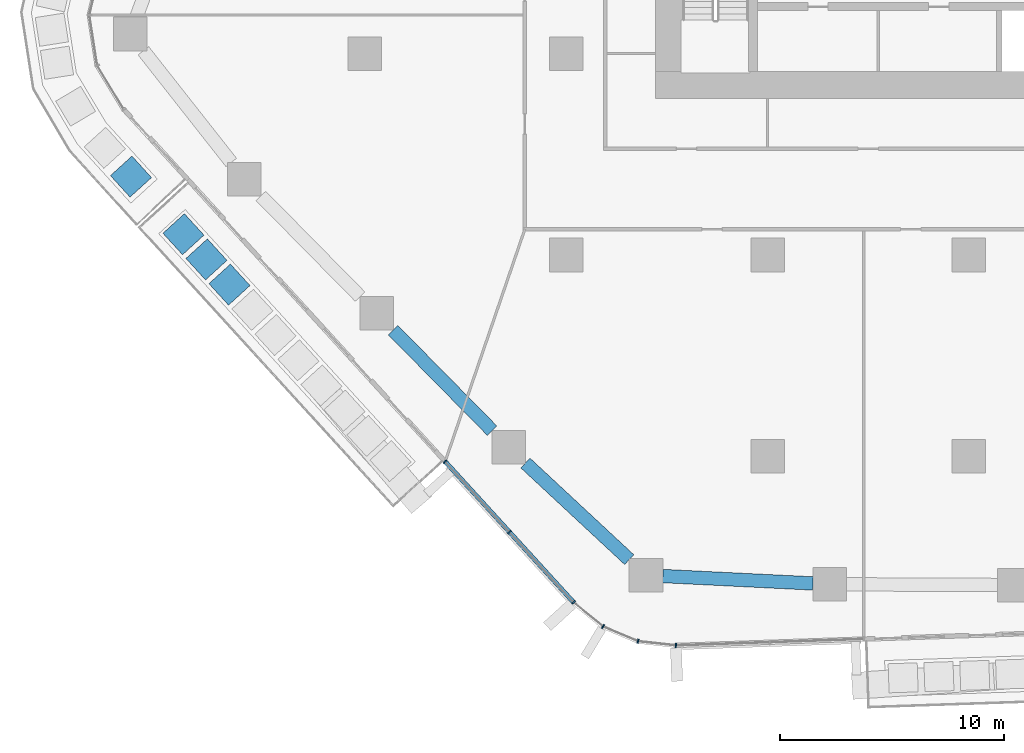
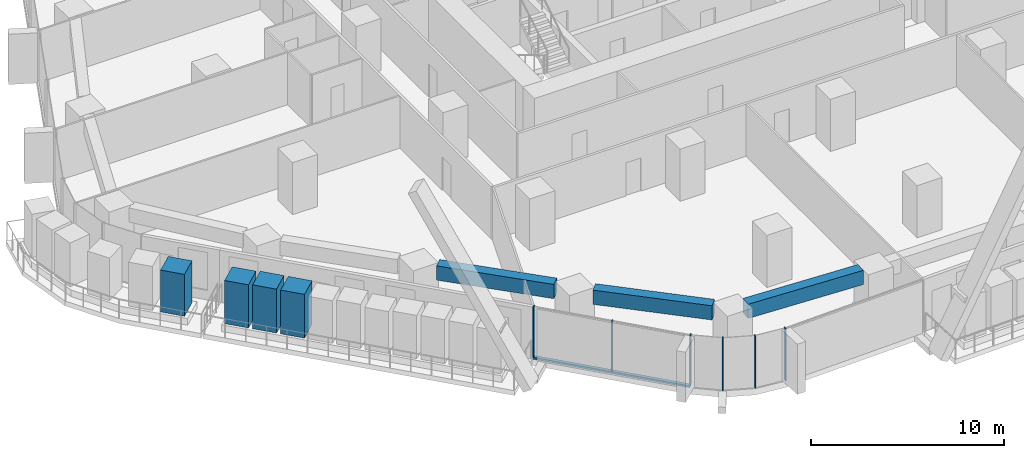
# One storey, part 2 of 26: 11 members, 3 beams, 2 elements without a shape of their own.
"""IFC4 building model written with IfcOpenShell, lengths in metres."""

from ifc_helpers import new_model, si_unit, direction, frame, origin, origin_2d, place, context, subcontext, project, spatial, rectangle, extrude, material, layer, layer_set, material_profile, profile_set, type_object, element, aggregate, save


model = new_model("IFC4")

# Units and contexts
model_context = context("Model", 3, precision=1e-05, world=origin(), true_north=direction((0.0, 1.0)))
body_context = subcontext(model_context, "Body", "Model", "MODEL_VIEW")
ifc_project = project(units=[si_unit("LENGTHUNIT", "METRE"), si_unit("AREAUNIT", "SQUARE_METRE"), si_unit("VOLUMEUNIT", "CUBIC_METRE"), si_unit("PLANEANGLEUNIT", "RADIAN"), si_unit("MASSUNIT", "GRAM", prefix="KILO")], contexts=[model_context])

# Site, building, storey
site_placement = place(None, origin())
site = spatial("IfcSite", under=ifc_project, at=site_placement, CompositionType="ELEMENT")
building_placement = place(site_placement, origin())
building = spatial("IfcBuilding", under=site, at=building_placement, Name="Dongbaek Canopy Tower", CompositionType="ELEMENT")
storey_placement = place(building_placement, frame((0.0, 0.0, 73.60009765625)))
storey = spatial("IfcBuildingStorey", under=building, at=storey_placement, Name="L14", CompositionType="ELEMENT", Elevation=73.60009765625)

# Curtain wall, members
ifc_material_1 = material(Name="Aluminium 6063-T6 pale anodised", Category="aluminium")
ifc_layer = layer(ifc_material_1, 0.199951171875)
ifc_layer_set = layer_set([ifc_layer], Name="CW-1 unitised tower curtain wall")
curtain_wall_type = type_object("IfcCurtainWallType", Name="CW-1 unitised tower curtain wall", PredefinedType="NOTDEFINED", material=ifc_layer_set)
curtain_wall_1_placement = place(storey_placement, origin())
curtain_wall_1 = element("IfcCurtainWall", 1, at=curtain_wall_1_placement, inside=storey, type_object=curtain_wall_type, Name="CW-1 curtain wall F3.1", PredefinedType="NOTDEFINED")
ifc_material_2 = material(Name="Aluminium 6063-T6 pale anodised", Category="aluminium")
ifc_material_profile_1 = material_profile(ifc_material_2, rectangle(XDim=0.199951171875, YDim=0.06005859375, at=origin_2d()), Name="CW-1 mullion 60 x 200")
ifc_profile_set_1 = profile_set([ifc_material_profile_1], Name="Aluminium 6063-T6 pale anodised")
member_type_1 = type_object("IfcMemberType", Name="CW-1 mullion 60 x 200", PredefinedType="MULLION", material=ifc_profile_set_1)
member_1_placement = place(storey_placement, frame((-23.41162109375, -27.234130859375, 0.119873046875), z_axis=(0.0, 0.0, 1.0), x_axis=(-0.738720005108, -0.674012428708, 0.0)))
member_1 = element("IfcMember", 2, at=member_1_placement, type_object=member_type_1, Name="CW-1 mullion F3.1.1", PredefinedType="MULLION", context=body_context, shape_type="SweptSolid", body=[
    extrude(rectangle(XDim=0.199951171875, YDim=0.06005859375, at=origin_2d()), origin(), (0.0, 0.0, 1.0), 3.179931640625),
])
member_2_placement = place(storey_placement, frame((-20.5380859375, -30.3837890625, 0.119873046875), z_axis=(0.0, 0.0, 1.0), x_axis=(-0.738720005108, -0.674012428708, 0.0)))
member_2 = element("IfcMember", 3, at=member_2_placement, type_object=member_type_1, Name="CW-1 mullion F3.1.2", PredefinedType="MULLION", context=body_context, shape_type="SweptSolid", body=[
    extrude(rectangle(XDim=0.199951171875, YDim=0.06005859375, at=origin_2d()), origin(), (0.0, 0.0, 1.0), 3.179931640625),
])
member_3_placement = place(storey_placement, frame((-17.669189453125, -33.52783203125, 0.119873046875), z_axis=(0.0, 0.0, 1.0), x_axis=(-0.738720005108, -0.674012428708, 0.0)))
member_3 = element("IfcMember", 4, at=member_3_placement, type_object=member_type_1, Name="CW-1 mullion F3.1.3", PredefinedType="MULLION", context=body_context, shape_type="SweptSolid", body=[
    extrude(rectangle(XDim=0.199951171875, YDim=0.06005859375, at=origin_2d()), origin(), (0.0, 0.0, 1.0), 3.179931640625),
])

curtain_wall_2_placement = place(storey_placement, origin())
curtain_wall_2 = element("IfcCurtainWall", 5, at=curtain_wall_2_placement, inside=storey, type_object=curtain_wall_type, Name="CW-1 curtain wall K4.1", PredefinedType="NOTDEFINED")
member_4_placement = place(storey_placement, frame((-16.35302734375, -34.607421875, 0.0), z_axis=(0.0, 0.0, 1.0), x_axis=(-0.516535377542, -0.856265848757, 0.0)))
member_4 = element("IfcMember", 6, at=member_4_placement, type_object=member_type_1, Name="CW-1 mullion K4.1.2", PredefinedType="MULLION", context=body_context, shape_type="SweptSolid", body=[
    extrude(rectangle(XDim=0.199951171875, YDim=0.06005859375, at=origin_2d()), origin(), (0.0, 0.0, 1.0), 3.2998046875),
])
member_5_placement = place(storey_placement, frame((-14.790771484375, -35.265380859375, 0.0), z_axis=(0.0, 0.0, 1.0), x_axis=(-0.251694061248, -0.967806850323, 0.0)))
member_5 = element("IfcMember", 7, at=member_5_placement, type_object=member_type_1, Name="CW-1 mullion K4.1.3", PredefinedType="MULLION", context=body_context, shape_type="SweptSolid", body=[
    extrude(rectangle(XDim=0.199951171875, YDim=0.06005859375, at=origin_2d()), origin(), (0.0, 0.0, 1.0), 3.2998046875),
])
member_6_placement = place(storey_placement, frame((-13.0986328125, -35.452880859375, 0.0), z_axis=(0.0, 0.0, 1.0), x_axis=(-0.110022324221, -0.993929116272, 0.0)))
member_6 = element("IfcMember", 8, at=member_6_placement, type_object=member_type_1, Name="CW-1 mullion K4.1.4", PredefinedType="MULLION", context=body_context, shape_type="SweptSolid", body=[
    extrude(rectangle(XDim=0.199951171875, YDim=0.06005859375, at=origin_2d()), origin(), (0.0, 0.0, 1.0), 3.2998046875),
])
aggregate(curtain_wall_2, [member_4, member_5, member_6])

# Member
ifc_material_3 = material(Name="Aluminium 6063-T6 pale anodised", Category="aluminium")
ifc_material_profile_2 = material_profile(ifc_material_3, rectangle(XDim=0.199951171875, YDim=0.1201171875, at=origin_2d()), Name="CW-1 transom 120 x 200")
ifc_profile_set_2 = profile_set([ifc_material_profile_2], Name="Aluminium 6063-T6 pale anodised")
member_type_2 = type_object("IfcMemberType", Name="CW-1 transom 120 x 200", PredefinedType="USERDEFINED", material=ifc_profile_set_2)
member_7_placement = place(storey_placement, frame((-23.41162109375, -27.234130859375, 0.059814453125), z_axis=(0.674013843629, -0.738718714124, 0.0), x_axis=(0.738718714124, 0.674013843629, 0.0)))
member_7 = element("IfcMember", 9, at=member_7_placement, type_object=member_type_2, Name="CW-1 transom F3.1.1", ObjectType="TRANSOM", PredefinedType="USERDEFINED", context=body_context, shape_type="SweptSolid", body=[
    extrude(rectangle(XDim=0.199951171875, YDim=0.1201171875, at=origin_2d()), origin(), (0.0, 0.0, 1.0), 8.519775390625),
])

aggregate(curtain_wall_1, [member_1, member_2, member_3, member_7])

# Beams
ifc_material_4 = material(Name="Concrete C80", Category="concrete")
ifc_material_profile_3 = material_profile(ifc_material_4, rectangle(XDim=0.60009765625, YDim=0.89990234375, at=origin_2d()), Name="RC EDGE BEAM 600x900 C80")
ifc_profile_set_3 = profile_set([ifc_material_profile_3], Name="Concrete C80")
beam_type = type_object("IfcBeamType", Name="RC EDGE BEAM 600x900 C80", PredefinedType="BEAM", material=ifc_profile_set_3)
beam_1_placement = place(storey_placement, frame((-6.971923828125, -32.68017578125, 2.849853515625), z_axis=(-0.998791258722, 0.049153041612, 0.0), x_axis=(-0.049153041612, -0.998791258722, 0.0)))
element("IfcBeam", 10, at=beam_1_placement, inside=storey, type_object=beam_type, Name="EDGEBEAM:L14:03", PredefinedType="BEAM", context=body_context, shape_type="SweptSolid", body=[
    extrude(rectangle(XDim=0.60009765625, YDim=0.89990234375, at=origin_2d()), origin(), (0.0, 0.0, 1.0), 6.72021484375),
])
beam_2_placement = place(storey_placement, frame((-15.18408203125, -31.615478515625, 2.849853515625), z_axis=(-0.732207291567, 0.681081846899, 0.0), x_axis=(-0.681081846899, -0.732207291567, 0.0)))
element("IfcBeam", 11, at=beam_2_placement, inside=storey, type_object=beam_type, Name="EDGEBEAM:L14:04", PredefinedType="BEAM", context=body_context, shape_type="SweptSolid", body=[
    extrude(rectangle(XDim=0.60009765625, YDim=0.89990234375, at=origin_2d()), origin(), (0.0, 0.0, 1.0), 6.3369140625),
])
beam_3_placement = place(storey_placement, frame((-21.312744140625, -25.85205078125, 2.849853515625), z_axis=(-0.701726082417, 0.712446843811, 0.0), x_axis=(-0.712446843811, -0.701726082417, 0.0)))
element("IfcBeam", 12, at=beam_3_placement, inside=storey, type_object=beam_type, Name="EDGEBEAM:L14:05", PredefinedType="BEAM", context=body_context, shape_type="SweptSolid", body=[
    extrude(rectangle(XDim=0.60009765625, YDim=0.89990234375, at=origin_2d()), origin(), (0.0, 0.0, 1.0), 6.30810546875),
])

# Members
ifc_material_5 = material(Name="Concrete C40/50 planter mass with planting", Category="concrete")
ifc_material_profile_4 = material_profile(ifc_material_5, rectangle(XDim=1.300048828125, YDim=1.300048828125, at=origin_2d()), Name="Terrace PLANTER shrub mass 1300 x 1300")
ifc_profile_set_4 = profile_set([ifc_material_profile_4], Name="Concrete C40/50 planter mass with planting")
member_type_3 = type_object("IfcMemberType", Name="Terrace PLANTER shrub mass 1300 x 1300", PredefinedType="USERDEFINED", material=ifc_profile_set_4)
member_8_placement = place(storey_placement, frame((-35.107421875, -17.0712890625, 0.419921875), z_axis=(0.0, 0.0, 1.0), x_axis=(-0.738720005108, -0.674012428708, 0.0)))
element("IfcMember", 13, at=member_8_placement, inside=storey, type_object=member_type_3, Name="Planter shrubs L14 3.1", ObjectType="PLANTER", PredefinedType="USERDEFINED", context=body_context, shape_type="SweptSolid", body=[
    extrude(rectangle(XDim=1.300048828125, YDim=1.300048828125, at=origin_2d()), origin(), (0.0, 0.0, 1.0), 2.72998046875),
])
member_9_placement = place(storey_placement, frame((-34.079345703125, -18.197998046875, 0.419921875), z_axis=(0.0, 0.0, 1.0), x_axis=(-0.738720005108, -0.674012428708, 0.0)))
element("IfcMember", 14, at=member_9_placement, inside=storey, type_object=member_type_3, Name="Planter shrubs L14 3.2", ObjectType="PLANTER", PredefinedType="USERDEFINED", context=body_context, shape_type="SweptSolid", body=[
    extrude(rectangle(XDim=1.300048828125, YDim=1.300048828125, at=origin_2d()), origin(), (0.0, 0.0, 1.0), 2.780029296875),
])
member_10_placement = place(storey_placement, frame((-33.05126953125, -19.32470703125, 0.419921875), z_axis=(0.0, 0.0, 1.0), x_axis=(-0.738720005108, -0.674012428708, 0.0)))
element("IfcMember", 15, at=member_10_placement, inside=storey, type_object=member_type_3, Name="Planter shrubs L14 3.3", ObjectType="PLANTER", PredefinedType="USERDEFINED", context=body_context, shape_type="SweptSolid", body=[
    extrude(rectangle(XDim=1.300048828125, YDim=1.300048828125, at=origin_2d()), origin(), (0.0, 0.0, 1.0), 2.77001953125),
])
member_11_placement = place(storey_placement, frame((-37.453125, -14.49755859375, 0.419921875), z_axis=(0.0, 0.0, 1.0), x_axis=(-0.740275867096, -0.672303235598, 0.0)))
element("IfcMember", 16, at=member_11_placement, inside=storey, type_object=member_type_3, Name="Planter shrubs L14 7.6", ObjectType="PLANTER", PredefinedType="USERDEFINED", context=body_context, shape_type="SweptSolid", body=[
    extrude(rectangle(XDim=1.300048828125, YDim=1.300048828125, at=origin_2d()), origin(), (0.0, 0.0, 1.0), 2.64990234375),
])

save(model, "model.ifc")
